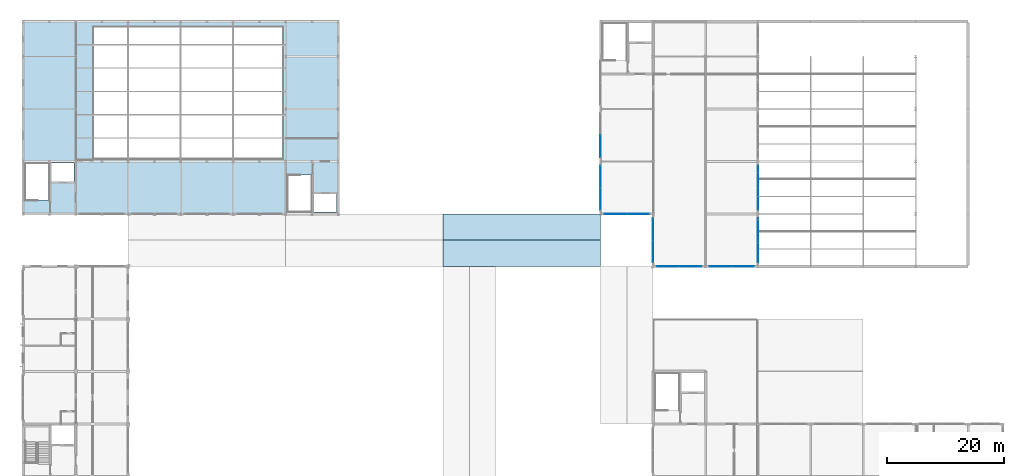
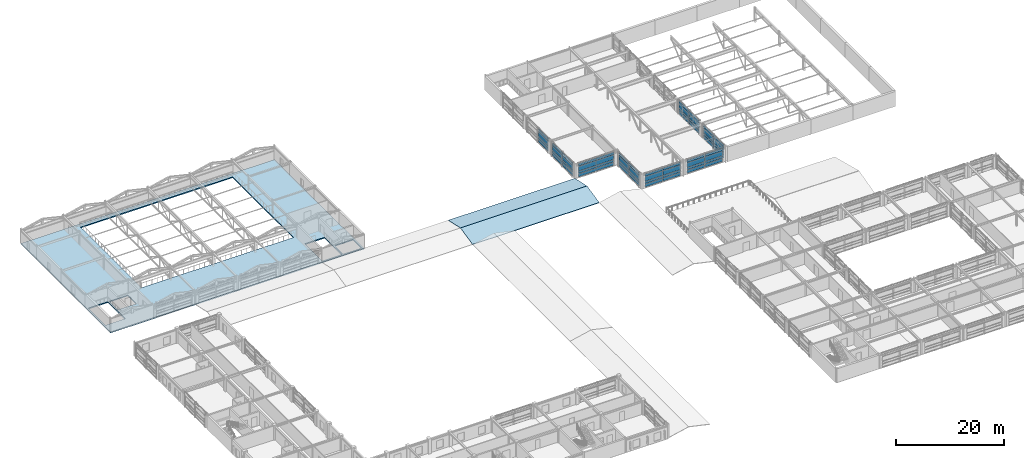
# One storey, part 65 of 91: 60 plates, 3 slabs, 8 elements without a shape of their own.
"""IFC4 building model written with IfcOpenShell, lengths in metres."""

from ifc_helpers import new_model, si_unit, direction, frame, origin, origin_2d, place, context, subcontext, project, spatial, polyline, rectangle, outline, extrude, material, layer, layer_set, type_object, element, aggregate, save


model = new_model("IFC4")

# Units and contexts
model_context = context("Model", 3, precision=1e-05, world=origin(), true_north=direction((0.0, 1.0)))
body_context = subcontext(model_context, "Body", "Model", "MODEL_VIEW")
ifc_project = project(units=[si_unit("LENGTHUNIT", "METRE"), si_unit("AREAUNIT", "SQUARE_METRE"), si_unit("VOLUMEUNIT", "CUBIC_METRE"), si_unit("PLANEANGLEUNIT", "RADIAN"), si_unit("MASSUNIT", "GRAM", prefix="KILO")], contexts=[model_context])

# Site, building, storey
site_placement = place(None, origin())
site = spatial("IfcSite", under=ifc_project, at=site_placement, CompositionType="ELEMENT")
building_placement = place(site_placement, origin())
building = spatial("IfcBuilding", under=site, at=building_placement, Name="Palais des Congres Ocreval", CompositionType="ELEMENT")
storey_placement = place(building_placement, frame((0.0, 0.0, 8.159912109375)))
storey = spatial("IfcBuildingStorey", under=building, at=storey_placement, Name="L02", CompositionType="ELEMENT", Elevation=8.159912109375)

# Curtain wall, plates
ifc_material_1 = material(Name="Anodized bronze aluminium and low-E glass", Category="glass")
curtain_wall_type = type_object("IfcCurtainWallType", Name="Unitised Curtain Wall 7900x3120", PredefinedType="USERDEFINED", material=ifc_material_1)
curtain_wall_1_placement = place(storey_placement, origin())
curtain_wall_1 = element("IfcCurtainWall", 1, at=curtain_wall_1_placement, inside=storey, type_object=curtain_wall_type, Name="Unitised Curtain Wall CW03 L02", ObjectType="UNITISED CURTAIN WALL", PredefinedType="USERDEFINED")
ifc_material_2 = material(Name="Acoustic triple glazing", Category="glass")
ifc_layer_1 = layer(ifc_material_2, 0.0439453125)
ifc_layer_set_1 = layer_set([ifc_layer_1], Name="Acoustic Laminated Glazing Panel 44 (Acoustic triple glazing)")
plate_type_1 = type_object("IfcPlateType", Name="Acoustic Laminated Glazing Panel 44", PredefinedType="CURTAIN_PANEL", material=ifc_layer_set_1)
plate_1_placement = place(storey_placement, frame((105.40625, 81.0, 0.06005859375), z_axis=(0.0, 0.0, 1.0), x_axis=(-1.0, 0.0, 0.0)))
plate_1 = element("IfcPlate", 2, at=plate_1_placement, type_object=plate_type_1, Name="Vision Glazing Panel VP02", PredefinedType="CURTAIN_PANEL", context=body_context, shape_type="SweptSolid", body=[
    extrude(rectangle(XDim=3.737548828125, YDim=0.0439453125, at=origin_2d()), origin(), (0.0, 0.0, 1.0), 0.68994140625),
])
plate_2_placement = place(storey_placement, frame((105.40625, 81.0, 0.81005859375), z_axis=(0.0, 0.0, 1.0), x_axis=(-1.0, 0.0, 0.0)))
plate_2 = element("IfcPlate", 3, at=plate_2_placement, type_object=plate_type_1, Name="Vision Glazing Panel VP02", PredefinedType="CURTAIN_PANEL", context=body_context, shape_type="SweptSolid", body=[
    extrude(rectangle(XDim=3.737548828125, YDim=0.0439453125, at=origin_2d()), origin(), (0.0, 0.0, 1.0), 0.512939453125),
])
plate_3_placement = place(storey_placement, frame((105.40625, 81.0, 1.3828125), z_axis=(0.0, 0.0, 1.0), x_axis=(-1.0, 0.0, 0.0)))
plate_3 = element("IfcPlate", 4, at=plate_3_placement, type_object=plate_type_1, Name="Vision Glazing Panel VP02", PredefinedType="CURTAIN_PANEL", context=body_context, shape_type="SweptSolid", body=[
    extrude(rectangle(XDim=3.737548828125, YDim=0.0439453125, at=origin_2d()), origin(), (0.0, 0.0, 1.0), 1.047119140625),
])
plate_4_placement = place(storey_placement, frame((101.59375, 81.0, 0.06005859375), z_axis=(0.0, 0.0, 1.0), x_axis=(-1.0, 0.0, 0.0)))
plate_4 = element("IfcPlate", 5, at=plate_4_placement, type_object=plate_type_1, Name="Vision Glazing Panel VP02", PredefinedType="CURTAIN_PANEL", context=body_context, shape_type="SweptSolid", body=[
    extrude(rectangle(XDim=3.737548828125, YDim=0.0439453125, at=origin_2d()), origin(), (0.0, 0.0, 1.0), 0.68994140625),
])
plate_5_placement = place(storey_placement, frame((101.59375, 81.0, 0.81005859375), z_axis=(0.0, 0.0, 1.0), x_axis=(-1.0, 0.0, 0.0)))
plate_5 = element("IfcPlate", 6, at=plate_5_placement, type_object=plate_type_1, Name="Vision Glazing Panel VP02", PredefinedType="CURTAIN_PANEL", context=body_context, shape_type="SweptSolid", body=[
    extrude(rectangle(XDim=3.737548828125, YDim=0.0439453125, at=origin_2d()), origin(), (0.0, 0.0, 1.0), 0.512939453125),
])
plate_6_placement = place(storey_placement, frame((101.59375, 81.0, 1.3828125), z_axis=(0.0, 0.0, 1.0), x_axis=(-1.0, 0.0, 0.0)))
plate_6 = element("IfcPlate", 7, at=plate_6_placement, type_object=plate_type_1, Name="Vision Glazing Panel VP02", PredefinedType="CURTAIN_PANEL", context=body_context, shape_type="SweptSolid", body=[
    extrude(rectangle(XDim=3.737548828125, YDim=0.0439453125, at=origin_2d()), origin(), (0.0, 0.0, 1.0), 1.047119140625),
])

curtain_wall_2_placement = place(storey_placement, origin())
curtain_wall_2 = element("IfcCurtainWall", 8, at=curtain_wall_2_placement, inside=storey, type_object=curtain_wall_type, Name="Unitised Curtain Wall CW03 L02", ObjectType="UNITISED CURTAIN WALL", PredefinedType="USERDEFINED")
plate_7_placement = place(storey_placement, frame((123.40625, 72.0, 0.06005859375), z_axis=(0.0, 0.0, 1.0), x_axis=(-1.0, 0.0, 0.0)))
plate_7 = element("IfcPlate", 9, at=plate_7_placement, type_object=plate_type_1, Name="Vision Glazing Panel VP02", PredefinedType="CURTAIN_PANEL", context=body_context, shape_type="SweptSolid", body=[
    extrude(rectangle(XDim=3.737548828125, YDim=0.0439453125, at=origin_2d()), origin(), (0.0, 0.0, 1.0), 0.68994140625),
])
plate_8_placement = place(storey_placement, frame((123.40625, 72.0, 0.81005859375), z_axis=(0.0, 0.0, 1.0), x_axis=(-1.0, 0.0, 0.0)))
plate_8 = element("IfcPlate", 10, at=plate_8_placement, type_object=plate_type_1, Name="Vision Glazing Panel VP02", PredefinedType="CURTAIN_PANEL", context=body_context, shape_type="SweptSolid", body=[
    extrude(rectangle(XDim=3.737548828125, YDim=0.0439453125, at=origin_2d()), origin(), (0.0, 0.0, 1.0), 0.512939453125),
])
plate_9_placement = place(storey_placement, frame((123.40625, 72.0, 1.3828125), z_axis=(0.0, 0.0, 1.0), x_axis=(-1.0, 0.0, 0.0)))
plate_9 = element("IfcPlate", 11, at=plate_9_placement, type_object=plate_type_1, Name="Vision Glazing Panel VP02", PredefinedType="CURTAIN_PANEL", context=body_context, shape_type="SweptSolid", body=[
    extrude(rectangle(XDim=3.737548828125, YDim=0.0439453125, at=origin_2d()), origin(), (0.0, 0.0, 1.0), 1.047119140625),
])
plate_10_placement = place(storey_placement, frame((119.59375, 72.0, 0.06005859375), z_axis=(0.0, 0.0, 1.0), x_axis=(-1.0, 0.0, 0.0)))
plate_10 = element("IfcPlate", 12, at=plate_10_placement, type_object=plate_type_1, Name="Vision Glazing Panel VP02", PredefinedType="CURTAIN_PANEL", context=body_context, shape_type="SweptSolid", body=[
    extrude(rectangle(XDim=3.737548828125, YDim=0.0439453125, at=origin_2d()), origin(), (0.0, 0.0, 1.0), 0.68994140625),
])
plate_11_placement = place(storey_placement, frame((119.59375, 72.0, 0.81005859375), z_axis=(0.0, 0.0, 1.0), x_axis=(-1.0, 0.0, 0.0)))
plate_11 = element("IfcPlate", 13, at=plate_11_placement, type_object=plate_type_1, Name="Vision Glazing Panel VP02", PredefinedType="CURTAIN_PANEL", context=body_context, shape_type="SweptSolid", body=[
    extrude(rectangle(XDim=3.737548828125, YDim=0.0439453125, at=origin_2d()), origin(), (0.0, 0.0, 1.0), 0.512939453125),
])
plate_12_placement = place(storey_placement, frame((119.59375, 72.0, 1.3828125), z_axis=(0.0, 0.0, 1.0), x_axis=(-1.0, 0.0, 0.0)))
plate_12 = element("IfcPlate", 14, at=plate_12_placement, type_object=plate_type_1, Name="Vision Glazing Panel VP02", PredefinedType="CURTAIN_PANEL", context=body_context, shape_type="SweptSolid", body=[
    extrude(rectangle(XDim=3.737548828125, YDim=0.0439453125, at=origin_2d()), origin(), (0.0, 0.0, 1.0), 1.047119140625),
])

# Plate
ifc_material_3 = material(Name="Anodized bronze aluminium", Category="aluminium")
ifc_layer_2 = layer(ifc_material_3, 0.06005859375)
ifc_layer_set_2 = layer_set([ifc_layer_2], Name="Anodized Bronze Spandrel Cassette 60 (Anodized bronze aluminium)")
plate_type_2 = type_object("IfcPlateType", Name="Anodized Bronze Spandrel Cassette 60", PredefinedType="SHEET", material=ifc_layer_set_2)
plate_13_placement = place(storey_placement, frame((105.40625, 81.0, 2.489990234375), z_axis=(0.0, 0.0, 1.0), x_axis=(-1.0, 0.0, 0.0)))
plate_13 = element("IfcPlate", 15, at=plate_13_placement, type_object=plate_type_2, Name="Spandrel Sheet SPN1", PredefinedType="SHEET", context=body_context, shape_type="SweptSolid", body=[
    extrude(rectangle(XDim=3.737548828125, YDim=0.06005859375, at=origin_2d()), origin(), (0.0, 0.0, 1.0), 0.56005859375),
])

plate_14_placement = place(storey_placement, frame((101.59375, 81.0, 2.489990234375), z_axis=(0.0, 0.0, 1.0), x_axis=(-1.0, 0.0, 0.0)))
plate_14 = element("IfcPlate", 16, at=plate_14_placement, type_object=plate_type_2, Name="Spandrel Sheet SPN1", PredefinedType="SHEET", context=body_context, shape_type="SweptSolid", body=[
    extrude(rectangle(XDim=3.737548828125, YDim=0.06005859375, at=origin_2d()), origin(), (0.0, 0.0, 1.0), 0.56005859375),
])

aggregate(curtain_wall_1, [plate_1, plate_2, plate_3, plate_13, plate_4, plate_5, plate_6, plate_14])

# Curtain wall, plate
curtain_wall_3_placement = place(storey_placement, origin())
curtain_wall_3 = element("IfcCurtainWall", 17, at=curtain_wall_3_placement, inside=storey, type_object=curtain_wall_type, Name="Unitised Curtain Wall CW03 L02", ObjectType="UNITISED CURTAIN WALL", PredefinedType="USERDEFINED")
plate_15_placement = place(storey_placement, frame((99.0, 92.59375, 2.489990234375), z_axis=(0.0, 0.0, 1.0), x_axis=(0.0, 1.0, 0.0)))
plate_15 = element("IfcPlate", 18, at=plate_15_placement, type_object=plate_type_2, Name="Spandrel Sheet SPN1", PredefinedType="SHEET", context=body_context, shape_type="SweptSolid", body=[
    extrude(rectangle(XDim=3.737548828125, YDim=0.06005859375, at=origin_2d()), origin(), (0.0, 0.0, 1.0), 0.56005859375),
])

# Curtain wall, plates
curtain_wall_4_placement = place(storey_placement, origin())
curtain_wall_4 = element("IfcCurtainWall", 19, at=curtain_wall_4_placement, inside=storey, type_object=curtain_wall_type, Name="Unitised Curtain Wall CW03 L02", ObjectType="UNITISED CURTAIN WALL", PredefinedType="USERDEFINED")
plate_16_placement = place(storey_placement, frame((126.0, 78.40625, 2.489990234375), z_axis=(0.0, 0.0, 1.0), x_axis=(0.0, -1.0, 0.0)))
plate_16 = element("IfcPlate", 20, at=plate_16_placement, type_object=plate_type_2, Name="Spandrel Sheet SPN1", PredefinedType="SHEET", context=body_context, shape_type="SweptSolid", body=[
    extrude(rectangle(XDim=3.737548828125, YDim=0.06005859375, at=origin_2d()), origin(), (0.0, 0.0, 1.0), 0.56005859375),
])
plate_17_placement = place(storey_placement, frame((126.0, 74.59375, 2.489990234375), z_axis=(0.0, 0.0, 1.0), x_axis=(0.0, -1.0, 0.0)))
plate_17 = element("IfcPlate", 21, at=plate_17_placement, type_object=plate_type_2, Name="Spandrel Sheet SPN1", PredefinedType="SHEET", context=body_context, shape_type="SweptSolid", body=[
    extrude(rectangle(XDim=3.737548828125, YDim=0.06005859375, at=origin_2d()), origin(), (0.0, 0.0, 1.0), 0.56005859375),
])

curtain_wall_5_placement = place(storey_placement, origin())
curtain_wall_5 = element("IfcCurtainWall", 22, at=curtain_wall_5_placement, inside=storey, type_object=curtain_wall_type, Name="Unitised Curtain Wall CW03 L02", ObjectType="UNITISED CURTAIN WALL", PredefinedType="USERDEFINED")
plate_18_placement = place(storey_placement, frame((114.40625, 72.0, 2.489990234375), z_axis=(0.0, 0.0, 1.0), x_axis=(-1.0, 0.0, 0.0)))
plate_18 = element("IfcPlate", 23, at=plate_18_placement, type_object=plate_type_2, Name="Spandrel Sheet SPN1", PredefinedType="SHEET", context=body_context, shape_type="SweptSolid", body=[
    extrude(rectangle(XDim=3.737548828125, YDim=0.06005859375, at=origin_2d()), origin(), (0.0, 0.0, 1.0), 0.56005859375),
])
plate_19_placement = place(storey_placement, frame((110.59375, 72.0, 2.489990234375), z_axis=(0.0, 0.0, 1.0), x_axis=(-1.0, 0.0, 0.0)))
plate_19 = element("IfcPlate", 24, at=plate_19_placement, type_object=plate_type_2, Name="Spandrel Sheet SPN1", PredefinedType="SHEET", context=body_context, shape_type="SweptSolid", body=[
    extrude(rectangle(XDim=3.737548828125, YDim=0.06005859375, at=origin_2d()), origin(), (0.0, 0.0, 1.0), 0.56005859375),
])

curtain_wall_6_placement = place(storey_placement, origin())
curtain_wall_6 = element("IfcCurtainWall", 25, at=curtain_wall_6_placement, inside=storey, type_object=curtain_wall_type, Name="Unitised Curtain Wall CW03 L02", ObjectType="UNITISED CURTAIN WALL", PredefinedType="USERDEFINED")
ifc_material_4 = material(Name="Low-E solar-control double glazing", Category="glass")
ifc_layer_3 = layer(ifc_material_4, 0.031982421875)
ifc_layer_set_3 = layer_set([ifc_layer_3], Name="Galleria Clear Vision Panel 32 (Low-E solar-control double glazing)")
plate_type_3 = type_object("IfcPlateType", Name="Galleria Clear Vision Panel 32", PredefinedType="CURTAIN_PANEL", material=ifc_layer_set_3)
plate_20_placement = place(storey_placement, frame((99.0, 83.59375, 0.06005859375), z_axis=(0.0, 0.0, 1.0), x_axis=(0.0, 1.0, 0.0)))
plate_20 = element("IfcPlate", 26, at=plate_20_placement, type_object=plate_type_3, Name="Vision Glazing Panel VP03", PredefinedType="CURTAIN_PANEL", context=body_context, shape_type="SweptSolid", body=[
    extrude(rectangle(XDim=3.737548828125, YDim=0.031982421875, at=origin_2d()), origin(), (0.0, 0.0, 1.0), 0.68994140625),
])
plate_21_placement = place(storey_placement, frame((99.0, 83.59375, 0.81005859375), z_axis=(0.0, 0.0, 1.0), x_axis=(0.0, 1.0, 0.0)))
plate_21 = element("IfcPlate", 27, at=plate_21_placement, type_object=plate_type_3, Name="Vision Glazing Panel VP03", PredefinedType="CURTAIN_PANEL", context=body_context, shape_type="SweptSolid", body=[
    extrude(rectangle(XDim=3.737548828125, YDim=0.031982421875, at=origin_2d()), origin(), (0.0, 0.0, 1.0), 0.512939453125),
])
plate_22_placement = place(storey_placement, frame((99.0, 83.59375, 1.3828125), z_axis=(0.0, 0.0, 1.0), x_axis=(0.0, 1.0, 0.0)))
plate_22 = element("IfcPlate", 28, at=plate_22_placement, type_object=plate_type_3, Name="Vision Glazing Panel VP03", PredefinedType="CURTAIN_PANEL", context=body_context, shape_type="SweptSolid", body=[
    extrude(rectangle(XDim=3.737548828125, YDim=0.031982421875, at=origin_2d()), origin(), (0.0, 0.0, 1.0), 1.047119140625),
])
plate_23_placement = place(storey_placement, frame((99.0, 87.40625, 0.06005859375), z_axis=(0.0, 0.0, 1.0), x_axis=(0.0, 1.0, 0.0)))
plate_23 = element("IfcPlate", 29, at=plate_23_placement, type_object=plate_type_3, Name="Vision Glazing Panel VP03", PredefinedType="CURTAIN_PANEL", context=body_context, shape_type="SweptSolid", body=[
    extrude(rectangle(XDim=3.737548828125, YDim=0.031982421875, at=origin_2d()), origin(), (0.0, 0.0, 1.0), 0.68994140625),
])
plate_24_placement = place(storey_placement, frame((99.0, 87.40625, 0.81005859375), z_axis=(0.0, 0.0, 1.0), x_axis=(0.0, 1.0, 0.0)))
plate_24 = element("IfcPlate", 30, at=plate_24_placement, type_object=plate_type_3, Name="Vision Glazing Panel VP03", PredefinedType="CURTAIN_PANEL", context=body_context, shape_type="SweptSolid", body=[
    extrude(rectangle(XDim=3.737548828125, YDim=0.031982421875, at=origin_2d()), origin(), (0.0, 0.0, 1.0), 0.512939453125),
])
plate_25_placement = place(storey_placement, frame((99.0, 87.40625, 1.3828125), z_axis=(0.0, 0.0, 1.0), x_axis=(0.0, 1.0, 0.0)))
plate_25 = element("IfcPlate", 31, at=plate_25_placement, type_object=plate_type_3, Name="Vision Glazing Panel VP03", PredefinedType="CURTAIN_PANEL", context=body_context, shape_type="SweptSolid", body=[
    extrude(rectangle(XDim=3.737548828125, YDim=0.031982421875, at=origin_2d()), origin(), (0.0, 0.0, 1.0), 1.047119140625),
])

curtain_wall_7_placement = place(storey_placement, origin())
curtain_wall_7 = element("IfcCurtainWall", 32, at=curtain_wall_7_placement, inside=storey, type_object=curtain_wall_type, Name="Unitised Curtain Wall CW03 L02", ObjectType="UNITISED CURTAIN WALL", PredefinedType="USERDEFINED")
plate_26_placement = place(storey_placement, frame((126.0, 87.40625, 0.06005859375), z_axis=(0.0, 0.0, 1.0), x_axis=(0.0, -1.0, 0.0)))
plate_26 = element("IfcPlate", 33, at=plate_26_placement, type_object=plate_type_3, Name="Vision Glazing Panel VP03", PredefinedType="CURTAIN_PANEL", context=body_context, shape_type="SweptSolid", body=[
    extrude(rectangle(XDim=3.737548828125, YDim=0.031982421875, at=origin_2d()), origin(), (0.0, 0.0, 1.0), 0.68994140625),
])
plate_27_placement = place(storey_placement, frame((126.0, 87.40625, 0.81005859375), z_axis=(0.0, 0.0, 1.0), x_axis=(0.0, -1.0, 0.0)))
plate_27 = element("IfcPlate", 34, at=plate_27_placement, type_object=plate_type_3, Name="Vision Glazing Panel VP03", PredefinedType="CURTAIN_PANEL", context=body_context, shape_type="SweptSolid", body=[
    extrude(rectangle(XDim=3.737548828125, YDim=0.031982421875, at=origin_2d()), origin(), (0.0, 0.0, 1.0), 0.512939453125),
])
plate_28_placement = place(storey_placement, frame((126.0, 87.40625, 1.3828125), z_axis=(0.0, 0.0, 1.0), x_axis=(0.0, -1.0, 0.0)))
plate_28 = element("IfcPlate", 35, at=plate_28_placement, type_object=plate_type_3, Name="Vision Glazing Panel VP03", PredefinedType="CURTAIN_PANEL", context=body_context, shape_type="SweptSolid", body=[
    extrude(rectangle(XDim=3.737548828125, YDim=0.031982421875, at=origin_2d()), origin(), (0.0, 0.0, 1.0), 1.047119140625),
])
plate_29_placement = place(storey_placement, frame((126.0, 83.59375, 0.06005859375), z_axis=(0.0, 0.0, 1.0), x_axis=(0.0, -1.0, 0.0)))
plate_29 = element("IfcPlate", 36, at=plate_29_placement, type_object=plate_type_3, Name="Vision Glazing Panel VP03", PredefinedType="CURTAIN_PANEL", context=body_context, shape_type="SweptSolid", body=[
    extrude(rectangle(XDim=3.737548828125, YDim=0.031982421875, at=origin_2d()), origin(), (0.0, 0.0, 1.0), 0.68994140625),
])
plate_30_placement = place(storey_placement, frame((126.0, 83.59375, 0.81005859375), z_axis=(0.0, 0.0, 1.0), x_axis=(0.0, -1.0, 0.0)))
plate_30 = element("IfcPlate", 37, at=plate_30_placement, type_object=plate_type_3, Name="Vision Glazing Panel VP03", PredefinedType="CURTAIN_PANEL", context=body_context, shape_type="SweptSolid", body=[
    extrude(rectangle(XDim=3.737548828125, YDim=0.031982421875, at=origin_2d()), origin(), (0.0, 0.0, 1.0), 0.512939453125),
])
plate_31_placement = place(storey_placement, frame((126.0, 83.59375, 1.3828125), z_axis=(0.0, 0.0, 1.0), x_axis=(0.0, -1.0, 0.0)))
plate_31 = element("IfcPlate", 38, at=plate_31_placement, type_object=plate_type_3, Name="Vision Glazing Panel VP03", PredefinedType="CURTAIN_PANEL", context=body_context, shape_type="SweptSolid", body=[
    extrude(rectangle(XDim=3.737548828125, YDim=0.031982421875, at=origin_2d()), origin(), (0.0, 0.0, 1.0), 1.047119140625),
])

# Plate
plate_32_placement = place(storey_placement, frame((114.40625, 72.0, 0.06005859375), z_axis=(0.0, 0.0, 1.0), x_axis=(-1.0, 0.0, 0.0)))
plate_32 = element("IfcPlate", 39, at=plate_32_placement, type_object=plate_type_3, Name="Vision Glazing Panel VP03", PredefinedType="CURTAIN_PANEL", context=body_context, shape_type="SweptSolid", body=[
    extrude(rectangle(XDim=3.737548828125, YDim=0.031982421875, at=origin_2d()), origin(), (0.0, 0.0, 1.0), 0.68994140625),
])

plate_33_placement = place(storey_placement, frame((114.40625, 72.0, 0.81005859375), z_axis=(0.0, 0.0, 1.0), x_axis=(-1.0, 0.0, 0.0)))
plate_33 = element("IfcPlate", 40, at=plate_33_placement, type_object=plate_type_3, Name="Vision Glazing Panel VP03", PredefinedType="CURTAIN_PANEL", context=body_context, shape_type="SweptSolid", body=[
    extrude(rectangle(XDim=3.737548828125, YDim=0.031982421875, at=origin_2d()), origin(), (0.0, 0.0, 1.0), 0.512939453125),
])

plate_34_placement = place(storey_placement, frame((114.40625, 72.0, 1.3828125), z_axis=(0.0, 0.0, 1.0), x_axis=(-1.0, 0.0, 0.0)))
plate_34 = element("IfcPlate", 41, at=plate_34_placement, type_object=plate_type_3, Name="Vision Glazing Panel VP03", PredefinedType="CURTAIN_PANEL", context=body_context, shape_type="SweptSolid", body=[
    extrude(rectangle(XDim=3.737548828125, YDim=0.031982421875, at=origin_2d()), origin(), (0.0, 0.0, 1.0), 1.047119140625),
])

plate_35_placement = place(storey_placement, frame((110.59375, 72.0, 0.06005859375), z_axis=(0.0, 0.0, 1.0), x_axis=(-1.0, 0.0, 0.0)))
plate_35 = element("IfcPlate", 42, at=plate_35_placement, type_object=plate_type_3, Name="Vision Glazing Panel VP03", PredefinedType="CURTAIN_PANEL", context=body_context, shape_type="SweptSolid", body=[
    extrude(rectangle(XDim=3.737548828125, YDim=0.031982421875, at=origin_2d()), origin(), (0.0, 0.0, 1.0), 0.68994140625),
])

plate_36_placement = place(storey_placement, frame((110.59375, 72.0, 0.81005859375), z_axis=(0.0, 0.0, 1.0), x_axis=(-1.0, 0.0, 0.0)))
plate_36 = element("IfcPlate", 43, at=plate_36_placement, type_object=plate_type_3, Name="Vision Glazing Panel VP03", PredefinedType="CURTAIN_PANEL", context=body_context, shape_type="SweptSolid", body=[
    extrude(rectangle(XDim=3.737548828125, YDim=0.031982421875, at=origin_2d()), origin(), (0.0, 0.0, 1.0), 0.512939453125),
])

plate_37_placement = place(storey_placement, frame((110.59375, 72.0, 1.3828125), z_axis=(0.0, 0.0, 1.0), x_axis=(-1.0, 0.0, 0.0)))
plate_37 = element("IfcPlate", 44, at=plate_37_placement, type_object=plate_type_3, Name="Vision Glazing Panel VP03", PredefinedType="CURTAIN_PANEL", context=body_context, shape_type="SweptSolid", body=[
    extrude(rectangle(XDim=3.737548828125, YDim=0.031982421875, at=origin_2d()), origin(), (0.0, 0.0, 1.0), 1.047119140625),
])

aggregate(curtain_wall_5, [plate_32, plate_33, plate_34, plate_18, plate_35, plate_36, plate_37, plate_19])

# Curtain wall, plates
curtain_wall_8_placement = place(storey_placement, origin())
curtain_wall_8 = element("IfcCurtainWall", 45, at=curtain_wall_8_placement, inside=storey, type_object=curtain_wall_type, Name="Unitised Curtain Wall CW03 L02", ObjectType="UNITISED CURTAIN WALL", PredefinedType="USERDEFINED")
ifc_layer_4 = layer(ifc_material_4, 0.035888671875)
ifc_layer_set_4 = layer_set([ifc_layer_4], Name="Low-E Vision Glazing Panel 36 (Low-E solar-control double glazing)")
plate_type_4 = type_object("IfcPlateType", Name="Low-E Vision Glazing Panel 36", PredefinedType="CURTAIN_PANEL", material=ifc_layer_set_4)
plate_38_placement = place(storey_placement, frame((108.0, 74.59375, 0.06005859375), z_axis=(0.0, 0.0, 1.0), x_axis=(0.0, 1.0, 0.0)))
plate_38 = element("IfcPlate", 46, at=plate_38_placement, type_object=plate_type_4, Name="Vision Glazing Panel VP01", PredefinedType="CURTAIN_PANEL", context=body_context, shape_type="SweptSolid", body=[
    extrude(rectangle(XDim=3.737548828125, YDim=0.035888671875, at=origin_2d()), origin(), (0.0, 0.0, 1.0), 0.68994140625),
])
plate_39_placement = place(storey_placement, frame((108.0, 74.59375, 0.81005859375), z_axis=(0.0, 0.0, 1.0), x_axis=(0.0, 1.0, 0.0)))
plate_39 = element("IfcPlate", 47, at=plate_39_placement, type_object=plate_type_4, Name="Vision Glazing Panel VP01", PredefinedType="CURTAIN_PANEL", context=body_context, shape_type="SweptSolid", body=[
    extrude(rectangle(XDim=3.737548828125, YDim=0.035888671875, at=origin_2d()), origin(), (0.0, 0.0, 1.0), 0.512939453125),
])
plate_40_placement = place(storey_placement, frame((108.0, 74.59375, 1.3828125), z_axis=(0.0, 0.0, 1.0), x_axis=(0.0, 1.0, 0.0)))
plate_40 = element("IfcPlate", 48, at=plate_40_placement, type_object=plate_type_4, Name="Vision Glazing Panel VP01", PredefinedType="CURTAIN_PANEL", context=body_context, shape_type="SweptSolid", body=[
    extrude(rectangle(XDim=3.737548828125, YDim=0.035888671875, at=origin_2d()), origin(), (0.0, 0.0, 1.0), 1.047119140625),
])
plate_41_placement = place(storey_placement, frame((108.0, 78.40625, 0.06005859375), z_axis=(0.0, 0.0, 1.0), x_axis=(0.0, 1.0, 0.0)))
plate_41 = element("IfcPlate", 49, at=plate_41_placement, type_object=plate_type_4, Name="Vision Glazing Panel VP01", PredefinedType="CURTAIN_PANEL", context=body_context, shape_type="SweptSolid", body=[
    extrude(rectangle(XDim=3.737548828125, YDim=0.035888671875, at=origin_2d()), origin(), (0.0, 0.0, 1.0), 0.68994140625),
])
plate_42_placement = place(storey_placement, frame((108.0, 78.40625, 0.81005859375), z_axis=(0.0, 0.0, 1.0), x_axis=(0.0, 1.0, 0.0)))
plate_42 = element("IfcPlate", 50, at=plate_42_placement, type_object=plate_type_4, Name="Vision Glazing Panel VP01", PredefinedType="CURTAIN_PANEL", context=body_context, shape_type="SweptSolid", body=[
    extrude(rectangle(XDim=3.737548828125, YDim=0.035888671875, at=origin_2d()), origin(), (0.0, 0.0, 1.0), 0.512939453125),
])
plate_43_placement = place(storey_placement, frame((108.0, 78.40625, 1.3828125), z_axis=(0.0, 0.0, 1.0), x_axis=(0.0, 1.0, 0.0)))
plate_43 = element("IfcPlate", 51, at=plate_43_placement, type_object=plate_type_4, Name="Vision Glazing Panel VP01", PredefinedType="CURTAIN_PANEL", context=body_context, shape_type="SweptSolid", body=[
    extrude(rectangle(XDim=3.737548828125, YDim=0.035888671875, at=origin_2d()), origin(), (0.0, 0.0, 1.0), 1.047119140625),
])

# Plate
plate_44_placement = place(storey_placement, frame((99.0, 92.59375, 0.06005859375), z_axis=(0.0, 0.0, 1.0), x_axis=(0.0, 1.0, 0.0)))
plate_44 = element("IfcPlate", 52, at=plate_44_placement, type_object=plate_type_4, Name="Vision Glazing Panel VP01", PredefinedType="CURTAIN_PANEL", context=body_context, shape_type="SweptSolid", body=[
    extrude(rectangle(XDim=3.737548828125, YDim=0.035888671875, at=origin_2d()), origin(), (0.0, 0.0, 1.0), 0.68994140625),
])

plate_45_placement = place(storey_placement, frame((99.0, 92.59375, 0.81005859375), z_axis=(0.0, 0.0, 1.0), x_axis=(0.0, 1.0, 0.0)))
plate_45 = element("IfcPlate", 53, at=plate_45_placement, type_object=plate_type_4, Name="Vision Glazing Panel VP01", PredefinedType="CURTAIN_PANEL", context=body_context, shape_type="SweptSolid", body=[
    extrude(rectangle(XDim=3.737548828125, YDim=0.035888671875, at=origin_2d()), origin(), (0.0, 0.0, 1.0), 0.512939453125),
])

plate_46_placement = place(storey_placement, frame((99.0, 92.59375, 1.3828125), z_axis=(0.0, 0.0, 1.0), x_axis=(0.0, 1.0, 0.0)))
plate_46 = element("IfcPlate", 54, at=plate_46_placement, type_object=plate_type_4, Name="Vision Glazing Panel VP01", PredefinedType="CURTAIN_PANEL", context=body_context, shape_type="SweptSolid", body=[
    extrude(rectangle(XDim=3.737548828125, YDim=0.035888671875, at=origin_2d()), origin(), (0.0, 0.0, 1.0), 1.047119140625),
])

aggregate(curtain_wall_3, [plate_44, plate_45, plate_46, plate_15])

plate_47_placement = place(storey_placement, frame((126.0, 78.40625, 0.06005859375), z_axis=(0.0, 0.0, 1.0), x_axis=(0.0, -1.0, 0.0)))
plate_47 = element("IfcPlate", 55, at=plate_47_placement, type_object=plate_type_4, Name="Vision Glazing Panel VP01", PredefinedType="CURTAIN_PANEL", context=body_context, shape_type="SweptSolid", body=[
    extrude(rectangle(XDim=3.737548828125, YDim=0.035888671875, at=origin_2d()), origin(), (0.0, 0.0, 1.0), 0.68994140625),
])

plate_48_placement = place(storey_placement, frame((126.0, 78.40625, 0.81005859375), z_axis=(0.0, 0.0, 1.0), x_axis=(0.0, -1.0, 0.0)))
plate_48 = element("IfcPlate", 56, at=plate_48_placement, type_object=plate_type_4, Name="Vision Glazing Panel VP01", PredefinedType="CURTAIN_PANEL", context=body_context, shape_type="SweptSolid", body=[
    extrude(rectangle(XDim=3.737548828125, YDim=0.035888671875, at=origin_2d()), origin(), (0.0, 0.0, 1.0), 0.512939453125),
])

plate_49_placement = place(storey_placement, frame((126.0, 78.40625, 1.3828125), z_axis=(0.0, 0.0, 1.0), x_axis=(0.0, -1.0, 0.0)))
plate_49 = element("IfcPlate", 57, at=plate_49_placement, type_object=plate_type_4, Name="Vision Glazing Panel VP01", PredefinedType="CURTAIN_PANEL", context=body_context, shape_type="SweptSolid", body=[
    extrude(rectangle(XDim=3.737548828125, YDim=0.035888671875, at=origin_2d()), origin(), (0.0, 0.0, 1.0), 1.047119140625),
])

plate_50_placement = place(storey_placement, frame((126.0, 74.59375, 0.06005859375), z_axis=(0.0, 0.0, 1.0), x_axis=(0.0, -1.0, 0.0)))
plate_50 = element("IfcPlate", 58, at=plate_50_placement, type_object=plate_type_4, Name="Vision Glazing Panel VP01", PredefinedType="CURTAIN_PANEL", context=body_context, shape_type="SweptSolid", body=[
    extrude(rectangle(XDim=3.737548828125, YDim=0.035888671875, at=origin_2d()), origin(), (0.0, 0.0, 1.0), 0.68994140625),
])

plate_51_placement = place(storey_placement, frame((126.0, 74.59375, 0.81005859375), z_axis=(0.0, 0.0, 1.0), x_axis=(0.0, -1.0, 0.0)))
plate_51 = element("IfcPlate", 59, at=plate_51_placement, type_object=plate_type_4, Name="Vision Glazing Panel VP01", PredefinedType="CURTAIN_PANEL", context=body_context, shape_type="SweptSolid", body=[
    extrude(rectangle(XDim=3.737548828125, YDim=0.035888671875, at=origin_2d()), origin(), (0.0, 0.0, 1.0), 0.512939453125),
])

plate_52_placement = place(storey_placement, frame((126.0, 74.59375, 1.3828125), z_axis=(0.0, 0.0, 1.0), x_axis=(0.0, -1.0, 0.0)))
plate_52 = element("IfcPlate", 60, at=plate_52_placement, type_object=plate_type_4, Name="Vision Glazing Panel VP01", PredefinedType="CURTAIN_PANEL", context=body_context, shape_type="SweptSolid", body=[
    extrude(rectangle(XDim=3.737548828125, YDim=0.035888671875, at=origin_2d()), origin(), (0.0, 0.0, 1.0), 1.047119140625),
])

aggregate(curtain_wall_4, [plate_47, plate_48, plate_49, plate_16, plate_50, plate_51, plate_52, plate_17])

# Slabs
ifc_material_5 = material(Name="Concrete C40/50", Category="concrete")
ifc_layer_5 = layer(ifc_material_5, 0.139892578125)
ifc_layer_set_5 = layer_set([ifc_layer_5], Name="Skylight and Pavilion Roof Slab 140 Concrete C40/50")
slab_type_1 = type_object("IfcSlabType", Name="Skylight and Pavilion Roof Slab 140 Concrete C40/50", PredefinedType="ROOF", material=ifc_layer_set_5)
for number, where, z_axis, x_axis, name in (
    (61, (72.0, 72.0, 0.0), (0.0, -0.216526648343, 0.976276707987), (1.0, 0.0, 0.0), "Crossroads Galleria South Roof 3"),
    (62, (72.0, 76.5, 0.998046875), (0.0, 0.216526648343, 0.976276707987), (1.0, 0.0, 0.0), "Crossroads Galleria North Roof 3"),
):
    element("IfcSlab", number, at=place(storey_placement, frame(where, z_axis=z_axis, x_axis=x_axis)), inside=storey, type_object=slab_type_1, Name=name, PredefinedType="ROOF", context=body_context, shape_type="SweptSolid", body=[
        extrude(outline(polyline([(0.0, 0.0), (27.0, 0.0), (27.0, 4.609348930673102), (0.0, 4.609348930673102), (0.0, 0.0)])), origin(), (0.0, 0.0, -1.0), 0.139892578125),
    ])

# Plate
ifc_material_6 = material(Name="Terracotta ceramic spandrel", Category="masonry")
ifc_layer_6 = layer(ifc_material_6, 0.080078125)
ifc_layer_set_6 = layer_set([ifc_layer_6], Name="Terracotta Insulated Spandrel Sheet 80 (Terracotta ceramic spandrel)")
plate_type_5 = type_object("IfcPlateType", Name="Terracotta Insulated Spandrel Sheet 80", PredefinedType="SHEET", material=ifc_layer_set_6)
plate_53_placement = place(storey_placement, frame((108.0, 74.59375, 2.489990234375), z_axis=(0.0, 0.0, 1.0), x_axis=(0.0, 1.0, 0.0)))
plate_53 = element("IfcPlate", 63, at=plate_53_placement, type_object=plate_type_5, Name="Spandrel Sheet SPN2", PredefinedType="SHEET", context=body_context, shape_type="SweptSolid", body=[
    extrude(rectangle(XDim=3.737548828125, YDim=0.080078125, at=origin_2d()), origin(), (0.0, 0.0, 1.0), 0.56005859375),
])

plate_54_placement = place(storey_placement, frame((108.0, 78.40625, 2.489990234375), z_axis=(0.0, 0.0, 1.0), x_axis=(0.0, 1.0, 0.0)))
plate_54 = element("IfcPlate", 64, at=plate_54_placement, type_object=plate_type_5, Name="Spandrel Sheet SPN2", PredefinedType="SHEET", context=body_context, shape_type="SweptSolid", body=[
    extrude(rectangle(XDim=3.737548828125, YDim=0.080078125, at=origin_2d()), origin(), (0.0, 0.0, 1.0), 0.56005859375),
])

aggregate(curtain_wall_8, [plate_38, plate_39, plate_40, plate_53, plate_41, plate_42, plate_43, plate_54])

plate_55_placement = place(storey_placement, frame((99.0, 83.59375, 2.489990234375), z_axis=(0.0, 0.0, 1.0), x_axis=(0.0, 1.0, 0.0)))
plate_55 = element("IfcPlate", 65, at=plate_55_placement, type_object=plate_type_5, Name="Spandrel Sheet SPN2", PredefinedType="SHEET", context=body_context, shape_type="SweptSolid", body=[
    extrude(rectangle(XDim=3.737548828125, YDim=0.080078125, at=origin_2d()), origin(), (0.0, 0.0, 1.0), 0.56005859375),
])

plate_56_placement = place(storey_placement, frame((99.0, 87.40625, 2.489990234375), z_axis=(0.0, 0.0, 1.0), x_axis=(0.0, 1.0, 0.0)))
plate_56 = element("IfcPlate", 66, at=plate_56_placement, type_object=plate_type_5, Name="Spandrel Sheet SPN2", PredefinedType="SHEET", context=body_context, shape_type="SweptSolid", body=[
    extrude(rectangle(XDim=3.737548828125, YDim=0.080078125, at=origin_2d()), origin(), (0.0, 0.0, 1.0), 0.56005859375),
])

aggregate(curtain_wall_6, [plate_20, plate_21, plate_22, plate_55, plate_23, plate_24, plate_25, plate_56])

plate_57_placement = place(storey_placement, frame((126.0, 87.40625, 2.489990234375), z_axis=(0.0, 0.0, 1.0), x_axis=(0.0, -1.0, 0.0)))
plate_57 = element("IfcPlate", 67, at=plate_57_placement, type_object=plate_type_5, Name="Spandrel Sheet SPN2", PredefinedType="SHEET", context=body_context, shape_type="SweptSolid", body=[
    extrude(rectangle(XDim=3.737548828125, YDim=0.080078125, at=origin_2d()), origin(), (0.0, 0.0, 1.0), 0.56005859375),
])

plate_58_placement = place(storey_placement, frame((126.0, 83.59375, 2.489990234375), z_axis=(0.0, 0.0, 1.0), x_axis=(0.0, -1.0, 0.0)))
plate_58 = element("IfcPlate", 68, at=plate_58_placement, type_object=plate_type_5, Name="Spandrel Sheet SPN2", PredefinedType="SHEET", context=body_context, shape_type="SweptSolid", body=[
    extrude(rectangle(XDim=3.737548828125, YDim=0.080078125, at=origin_2d()), origin(), (0.0, 0.0, 1.0), 0.56005859375),
])

aggregate(curtain_wall_7, [plate_26, plate_27, plate_28, plate_57, plate_29, plate_30, plate_31, plate_58])

plate_59_placement = place(storey_placement, frame((123.40625, 72.0, 2.489990234375), z_axis=(0.0, 0.0, 1.0), x_axis=(-1.0, 0.0, 0.0)))
plate_59 = element("IfcPlate", 69, at=plate_59_placement, type_object=plate_type_5, Name="Spandrel Sheet SPN2", PredefinedType="SHEET", context=body_context, shape_type="SweptSolid", body=[
    extrude(rectangle(XDim=3.737548828125, YDim=0.080078125, at=origin_2d()), origin(), (0.0, 0.0, 1.0), 0.56005859375),
])

plate_60_placement = place(storey_placement, frame((119.59375, 72.0, 2.489990234375), z_axis=(0.0, 0.0, 1.0), x_axis=(-1.0, 0.0, 0.0)))
plate_60 = element("IfcPlate", 70, at=plate_60_placement, type_object=plate_type_5, Name="Spandrel Sheet SPN2", PredefinedType="SHEET", context=body_context, shape_type="SweptSolid", body=[
    extrude(rectangle(XDim=3.737548828125, YDim=0.080078125, at=origin_2d()), origin(), (0.0, 0.0, 1.0), 0.56005859375),
])

aggregate(curtain_wall_2, [plate_7, plate_8, plate_9, plate_59, plate_10, plate_11, plate_12, plate_60])

# Slab
ifc_layer_7 = layer(ifc_material_5, 0.239990234375)
ifc_layer_set_7 = layer_set([ifc_layer_7], Name="Transfer and Crown Floor Slab 240 Concrete C40/50")
slab_type_2 = type_object("IfcSlabType", Name="Transfer and Crown Floor Slab 240 Concrete C40/50", PredefinedType="FLOOR", material=ifc_layer_set_7)
slab_placement = place(storey_placement, frame((0.0, 0.0, -0.239990234375)))
element("IfcSlab", 71, at=slab_placement, inside=storey, type_object=slab_type_2, Name="Floor Slab SL10 L02 V1-1", PredefinedType="FLOOR", context=body_context, shape_type="SweptSolid", body=[
    extrude(outline(polyline([(0.0, 114.0), (54.0, 114.0), (54.0, 81.0), (0.0, 81.0), (0.0, 114.0)]), holes=[polyline([(45.300048828125, 87.64990234375), (45.300048828125, 81.300048828125), (49.5, 81.300048828125), (49.5, 87.64990234375), (45.300048828125, 87.64990234375)]), polyline([(4.5, 89.699951171875), (0.300048828125, 89.699951171875), (0.300048828125, 83.35009765625), (4.5, 83.35009765625), (4.5, 89.699951171875)]), polyline([(8.699951171875, 89.699951171875), (4.800048828125, 89.699951171875), (4.800048828125, 86.550048828125), (8.699951171875, 86.550048828125), (8.699951171875, 89.699951171875)]), polyline([(12.10009765625, 113.0), (12.10009765625, 90.5), (44.5, 90.5), (44.5, 113.0), (12.10009765625, 113.0)]), polyline([(49.800048828125, 84.449951171875), (49.800048828125, 81.300048828125), (53.699951171875, 81.300048828125), (53.699951171875, 84.449951171875), (49.800048828125, 84.449951171875)])]), origin(), (0.0, 0.0, 1.0), 0.239990234375),
])

save(model, "model.ifc")
